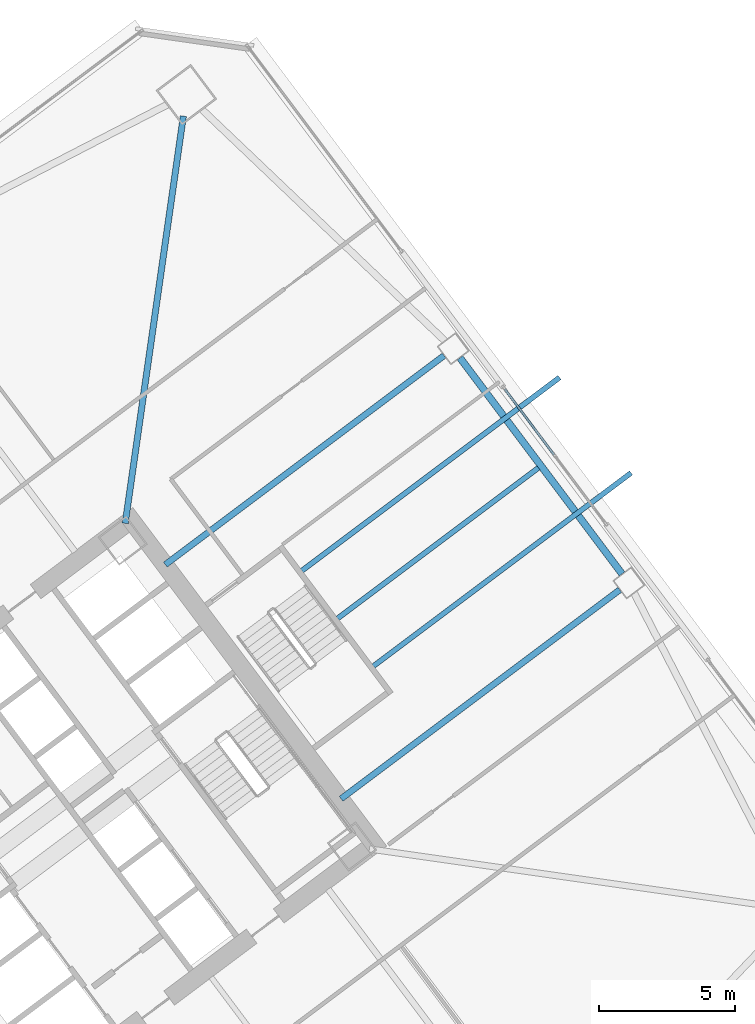
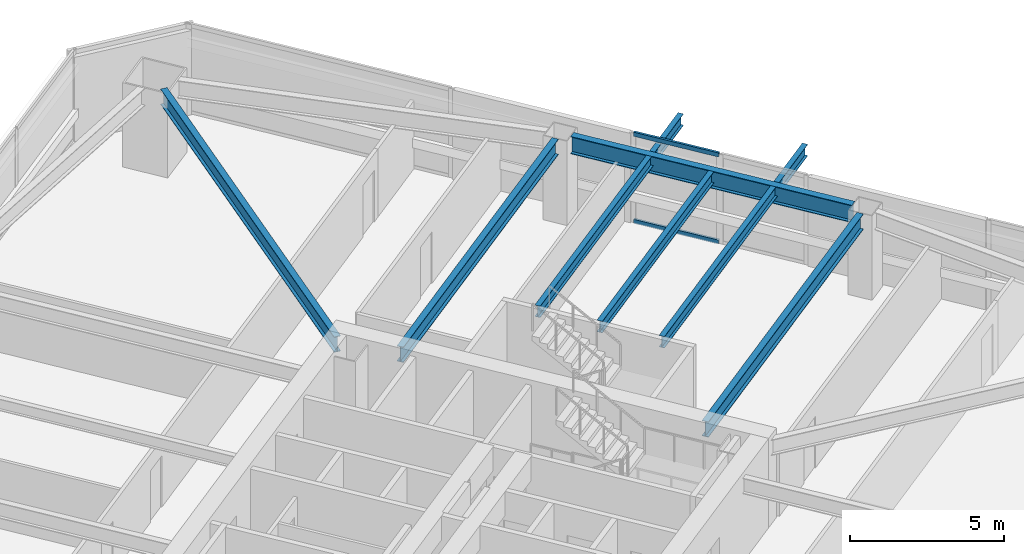
# One storey, part 29 of 46: 7 beams, 2 members, 1 element without a shape of its own.
"""IFC4 building model written with IfcOpenShell, lengths in metres."""

import ifcopenshell
import ifcopenshell.guid

model = None  # the IFC model being written
_history = None  # IfcOwnerHistory: only IFC2X3 demands one
_inside = {}  # id of a spatial element -> (the spatial element, [elements in it])
_under = {}  # id of a project, library or spatial element -> (it, [spatial elements below it])
_declared = {}  # id of a project -> (the project, [libraries it declares])
_typed = {}  # id of a type object -> (the type object, [elements of that type])
_made_of = {}  # id of a material, layer set ... -> (it, [elements and type objects made of it])


def new_model(schema):
    """Start an empty IFC model of exactly this schema.

    Asked for "IFC4X3", IfcOpenShell would pick the latest addendum, in which some entities
    have other attributes; the version numbers below select the first issue.
    IFC2X3 requires an IfcOwnerHistory on every rooted entity: one is made here for all.
    """
    global model, _history
    if schema == "IFC4X3":
        model = ifcopenshell.file(schema_version=(4, 3, 0, 0))
    else:
        model = ifcopenshell.file(schema=schema)
    _inside.clear()
    _under.clear()
    _declared.clear()
    _typed.clear()
    _made_of.clear()
    _history = None
    if model.schema == "IFC2X3":
        org = make("IfcOrganization", Name="unknown")
        user = make(
            "IfcPersonAndOrganization",
            ThePerson=make("IfcPerson", FamilyName="unknown"),
            TheOrganization=org,
        )
        app = make(
            "IfcApplication",
            ApplicationDeveloper=org,
            Version="unknown",
            ApplicationFullName="unknown",
            ApplicationIdentifier="unknown",
        )
        _history = make(
            "IfcOwnerHistory",
            OwningUser=user,
            OwningApplication=app,
            ChangeAction="ADDED",
            CreationDate=0,
        )
    return model


def make(cls, **values):
    """One entity of the class cls with the attributes given. An attribute that is None is left unset."""
    return model.create_entity(
        cls, **{name: value for name, value in values.items() if value is not None}
    )


def rooted(cls, **values):
    """An entity with a GlobalId (a new one), such as an element, a storey or a relation."""
    return make(cls, GlobalId=ifcopenshell.guid.new(), OwnerHistory=_history, **values)


def si_unit(unit_type, name, prefix=None):
    """IfcSIUnit, for example si_unit("LENGTHUNIT", "METRE", prefix="MILLI")."""
    return make("IfcSIUnit", UnitType=unit_type, Prefix=prefix, Name=name)


def assignment(units):
    """IfcUnitAssignment: the units of a project."""
    return None if units is None else make("IfcUnitAssignment", Units=units)


def point(xyz):
    """IfcCartesianPoint."""
    return None if xyz is None else make("IfcCartesianPoint", Coordinates=xyz)


def direction(xyz):
    """IfcDirection."""
    return None if xyz is None else make("IfcDirection", DirectionRatios=xyz)


def frame(location, z_axis=None, x_axis=None):
    """IfcAxis2Placement3D, a coordinate frame: its origin and axes. An axis left out is left unset."""
    return make(
        "IfcAxis2Placement3D",
        Location=point(location),
        Axis=direction(z_axis),
        RefDirection=direction(x_axis),
    )


def frame_2d(location, x_axis=None):
    """IfcAxis2Placement2D, a coordinate frame in the plane: its origin and x axis."""
    return make(
        "IfcAxis2Placement2D", Location=point(location), RefDirection=direction(x_axis)
    )


def origin():
    """The frame at (0, 0, 0) with its axes left unset."""
    return frame((0.0, 0.0, 0.0))


def origin_2d():
    """The frame at (0, 0) in the plane with its x axis left unset."""
    return frame_2d((0.0, 0.0))


def place(relative_to, where):
    """IfcLocalPlacement: puts the frame where relative to a parent placement (None: the world)."""
    return make(
        "IfcLocalPlacement", PlacementRelTo=relative_to, RelativePlacement=where
    )


def context(
    kind, dimensions, precision=None, world=None, true_north=None, identifier=None
):
    """IfcGeometricRepresentationContext, for example the 3D "Model" context."""
    return make(
        "IfcGeometricRepresentationContext",
        ContextIdentifier=identifier,
        ContextType=kind,
        CoordinateSpaceDimension=dimensions,
        Precision=precision,
        WorldCoordinateSystem=world,
        TrueNorth=true_north,
    )


def subcontext(parent, identifier, kind, view, scale=None):
    """IfcGeometricRepresentationSubContext, for example "Body" below "Model"."""
    return make(
        "IfcGeometricRepresentationSubContext",
        ContextIdentifier=identifier,
        ContextType=kind,
        ParentContext=parent,
        TargetScale=scale,
        TargetView=view,
    )


def project(units=None, contexts=None):
    """IfcProject with its units and contexts."""
    return rooted(
        "IfcProject",
        Name="project",
        RepresentationContexts=contexts,
        UnitsInContext=assignment(units),
    )


def spatial(cls, under=None, at=None, **own):
    """A site, building, storey or space (cls), placed at a placement, below another one or the project."""
    s = rooted(cls, ObjectPlacement=at, **own)
    if under is not None:
        _under.setdefault(under.id(), (under, []))[1].append(s)
    return s


def profile(cls, at=None, kind="AREA", **sizes):
    """A parametric profile (cls). Its sizes go by their IFC names, for example OverallWidth=200.0."""
    return make(cls, ProfileType=kind, Position=at, **sizes)


def hollow_rectangle(**sizes):
    """IfcRectangleHollowProfileDef."""
    return profile("IfcRectangleHollowProfileDef", **sizes)


def i_section(**sizes):
    """IfcIShapeProfileDef."""
    return profile("IfcIShapeProfileDef", **sizes)


def extrude(swept, where, along, depth):
    """IfcExtrudedAreaSolid: the profile swept, set in the frame where, extruded along a direction by depth."""
    return make(
        "IfcExtrudedAreaSolid",
        SweptArea=swept,
        Position=where,
        ExtrudedDirection=direction(along),
        Depth=depth,
    )


def shape(context_of_items, identifier, shape_type, items):
    """IfcShapeRepresentation: the items that make up one representation, for example the "Body"."""
    return make(
        "IfcShapeRepresentation",
        ContextOfItems=context_of_items,
        RepresentationIdentifier=identifier,
        RepresentationType=shape_type,
        Items=items,
    )


def material(Name=None, Category=None):
    """IfcMaterial."""
    return make("IfcMaterial", Name=Name, Category=Category)


def material_profile(
    of_material, cross_section, Name=None, Category=None, Priority=None
):
    """IfcMaterialProfile: a cross section and its material."""
    return make(
        "IfcMaterialProfile",
        Name=Name,
        Material=of_material,
        Profile=cross_section,
        Priority=Priority,
        Category=Category,
    )


def profile_set(profiles, Name=None, composite=None):
    """IfcMaterialProfileSet."""
    return make(
        "IfcMaterialProfileSet",
        Name=Name,
        MaterialProfiles=profiles,
        CompositeProfile=composite,
    )


def made_of(thing, what):
    """Note that an element or type object is made of a material, layer set ...; save() writes the relation."""
    if what is not None:
        _made_of.setdefault(what.id(), (what, []))[1].append(thing)
    return thing


def type_object(cls, material=None, **own):
    """A type object (cls), such as IfcWallType, which elements share."""
    return made_of(rooted(cls, **own), material)


def element(
    cls,
    number,
    at=None,
    inside=None,
    cuts=None,
    type_object=None,
    material=None,
    context=None,
    identifier="Body",
    shape_type=None,
    held_by="IfcProductDefinitionShape",
    body=None,
    shapes=None,
    **own,
):
    """One element of the class cls, such as IfcWall. Its Tag is "e" and its number.

    at: its placement. inside: the storey or other place that contains it. cuts: it is an
    opening in that element (IfcRelVoidsElement). A single representation is given by context,
    identifier, shape_type and body (its items); several are given by shapes. held_by: the class
    of the entity that holds the representations. save() writes the other relations.
    """
    e = rooted(cls, Tag="e%d" % number, ObjectPlacement=at, **own)
    if body is not None:
        shapes = [shape(context, identifier, shape_type, body)]
    if shapes is not None:
        e.Representation = make(held_by, Representations=shapes)
    if inside is not None:
        _inside.setdefault(inside.id(), (inside, []))[1].append(e)
    if cuts is not None:
        rooted(
            "IfcRelVoidsElement", RelatingBuildingElement=cuts, RelatedOpeningElement=e
        )
    if type_object is not None:
        _typed.setdefault(type_object.id(), (type_object, []))[1].append(e)
    return made_of(e, material)


def aggregate(whole, parts):
    """IfcRelAggregates: a whole, such as a stair, and the parts it consists of."""
    return rooted("IfcRelAggregates", RelatingObject=whole, RelatedObjects=parts)


def save(model, path):
    """Write the relations noted so far, then the file.

    IfcRelAggregates (storeys below a building ...), IfcRelContainedInSpatialStructure (elements
    in a storey), IfcRelDefinesByType, IfcRelAssociatesMaterial and IfcRelDeclares: one each for
    every whole, place, type object, material and project.
    """
    for whole, parts in _under.values():
        aggregate(whole, parts)
    for where, things in _inside.values():
        rooted(
            "IfcRelContainedInSpatialStructure",
            RelatedElements=things,
            RelatingStructure=where,
        )
    for kind, things in _typed.values():
        rooted("IfcRelDefinesByType", RelatedObjects=things, RelatingType=kind)
    for what, things in _made_of.values():
        rooted("IfcRelAssociatesMaterial", RelatedObjects=things, RelatingMaterial=what)
    for by, libraries in _declared.values():
        rooted("IfcRelDeclares", RelatingContext=by, RelatedDefinitions=libraries)
    model.write(path)


model = new_model("IFC4")

# Units and contexts
model_context = context("Model", 3, precision=1e-05, world=origin(), true_north=direction((0.0, 1.0)))
body_context = subcontext(model_context, "Body", "Model", "MODEL_VIEW")
ifc_project = project(units=[si_unit("LENGTHUNIT", "METRE"), si_unit("AREAUNIT", "SQUARE_METRE"), si_unit("VOLUMEUNIT", "CUBIC_METRE"), si_unit("PLANEANGLEUNIT", "RADIAN"), si_unit("MASSUNIT", "GRAM", prefix="KILO")], contexts=[model_context])

# Site, building, storey
site_placement = place(None, origin())
site = spatial("IfcSite", under=ifc_project, at=site_placement, CompositionType="ELEMENT")
building_placement = place(site_placement, origin())
building = spatial("IfcBuilding", under=site, at=building_placement, Name="Tashvorn Skyway Center", CompositionType="ELEMENT")
storey_placement = place(building_placement, frame((0.0, 0.0, 38.800048828125)))
storey = spatial("IfcBuildingStorey", under=building, at=storey_placement, Name="L09", CompositionType="ELEMENT", Elevation=38.800048828125)

# Beams
ifc_material_1 = material(Name="Steel ASTM A992 Grade 50", Category="steel")
ifc_material_profile_1 = material_profile(ifc_material_1, i_section(OverallWidth=0.22998046875, OverallDepth=0.616943359375, WebThickness=0.01318359375, FlangeThickness=0.022216796875, at=origin_2d()), Name="W24X94")
ifc_profile_set_1 = profile_set([ifc_material_profile_1], Name="Steel ASTM A992 Grade 50")
beam_type_1 = type_object("IfcBeamType", Name="BM-BEAM-W24X94", PredefinedType="BEAM", material=ifc_profile_set_1)
beam_1_placement = place(storey_placement, frame((117.6474609375, 57.532958984375, 3.04150390625), z_axis=(-0.141414599991, -0.989950458816, 0.0), x_axis=(0.989950458816, -0.141414599991, 0.0)))
element("IfcBeam", 1, at=beam_1_placement, inside=storey, type_object=beam_type_1, Name="Tower 2 L09 Primary Floor Girder MC-NE", PredefinedType="BEAM", context=body_context, shape_type="SweptSolid", body=[
    extrude(i_section(OverallWidth=0.22998046875, OverallDepth=0.616943359375, WebThickness=0.01318359375, FlangeThickness=0.022216796875, at=origin_2d()), origin(), (0.0, 0.0, 1.0), 15.177001953125),
])
beam_2_placement = place(storey_placement, frame((133.743896484375, 40.05810546875, 3.04150390625), z_axis=(-0.799986320265, -0.600018239213, 0.0), x_axis=(0.600018239213, -0.799986320265, 0.0)))
element("IfcBeam", 2, at=beam_2_placement, inside=storey, type_object=beam_type_1, Name="Tower 2 L09 Primary Floor Girder FC-E1", PredefinedType="BEAM", context=body_context, shape_type="SweptSolid", body=[
    extrude(i_section(OverallWidth=0.22998046875, OverallDepth=0.616943359375, WebThickness=0.01318359375, FlangeThickness=0.022216796875, at=origin_2d()), origin(), (0.0, 0.0, 1.0), 12.849853515625),
])
beam_3_placement = place(storey_placement, frame((127.263916015625, 48.697998046875, 3.04150390625), z_axis=(-0.800002279907, -0.599996960112, 0.0), x_axis=(0.599996960112, -0.800002279907, 0.0)))
element("IfcBeam", 3, at=beam_3_placement, inside=storey, type_object=beam_type_1, Name="Tower 2 L09 Primary Floor Girder FC-E2", PredefinedType="BEAM", context=body_context, shape_type="SweptSolid", body=[
    extrude(i_section(OverallWidth=0.22998046875, OverallDepth=0.616943359375, WebThickness=0.01318359375, FlangeThickness=0.022216796875, at=origin_2d()), origin(), (0.0, 0.0, 1.0), 12.85009765625),
])
ifc_material_profile_2 = material_profile(ifc_material_1, i_section(OverallWidth=0.19091796875, OverallDepth=0.4599609375, WebThickness=0.010009765625, FlangeThickness=0.01611328125, at=origin_2d()), Name="W18X55")
ifc_profile_set_2 = profile_set([ifc_material_profile_2], Name="Steel ASTM A992 Grade 50")
beam_type_2 = type_object("IfcBeamType", Name="BM-JOIST-W18X55", PredefinedType="JOIST", material=ifc_profile_set_2)
beam_4_placement = place(storey_placement, frame((123.3359375, 39.001953125, 3.119873046875), z_axis=(0.799990508532, 0.600012655082, 0.0), x_axis=(-0.600012655082, 0.799990508532, 0.0)))
element("IfcBeam", 4, at=beam_4_placement, inside=storey, type_object=beam_type_2, Name="Tower 2 L09 Secondary Composite Joist JE", PredefinedType="JOIST", context=body_context, shape_type="SweptSolid", body=[
    extrude(i_section(OverallWidth=0.19091796875, OverallDepth=0.4599609375, WebThickness=0.010009765625, FlangeThickness=0.01611328125, at=origin_2d()), origin(), (0.0, 0.0, 1.0), 9.260009765625),
])
beam_5_placement = place(storey_placement, frame((124.656005859375, 37.241943359375, 3.119873046875), z_axis=(0.799990135649, 0.600013152243, 0.0), x_axis=(-0.600013152243, 0.799990135649, 0.0)))
element("IfcBeam", 5, at=beam_5_placement, inside=storey, type_object=beam_type_2, Name="Tower 2 L10 Terrace Cantilever Outlooker 1", PredefinedType="JOIST", context=body_context, shape_type="SweptSolid", body=[
    extrude(i_section(OverallWidth=0.19091796875, OverallDepth=0.4599609375, WebThickness=0.010009765625, FlangeThickness=0.01611328125, at=origin_2d()), origin(), (0.0, 0.0, 1.0), 11.880126953125),
])
beam_6_placement = place(storey_placement, frame((122.01611328125, 40.761962890625, 3.119873046875), z_axis=(0.8, 0.6, 0.0), x_axis=(-0.6, 0.8, 0.0)))
element("IfcBeam", 6, at=beam_6_placement, inside=storey, type_object=beam_type_2, Name="Tower 2 L10 Terrace Cantilever Outlooker 2", PredefinedType="JOIST", context=body_context, shape_type="SweptSolid", body=[
    extrude(i_section(OverallWidth=0.19091796875, OverallDepth=0.4599609375, WebThickness=0.010009765625, FlangeThickness=0.01611328125, at=origin_2d()), origin(), (0.0, 0.0, 1.0), 11.8798828125),
])
ifc_material_profile_3 = material_profile(ifc_material_1, i_section(OverallWidth=0.256103515625, OverallDepth=0.693115234375, WebThickness=0.014404296875, FlangeThickness=0.023681640625, at=origin_2d()), Name="W27X114")
ifc_profile_set_3 = profile_set([ifc_material_profile_3], Name="Steel ASTM A992 Grade 50")
beam_type_3 = type_object("IfcBeamType", Name="BM-SPANDREL-W27X114", PredefinedType="SPANDREL", material=ifc_profile_set_3)
beam_7_placement = place(storey_placement, frame((133.827880859375, 40.64599609375, 3.00341796875), z_axis=(-0.599988234018, 0.800008824351, 0.0), x_axis=(-0.800008824351, -0.599988234018, 0.0)))
element("IfcBeam", 7, at=beam_7_placement, inside=storey, type_object=beam_type_3, Name="Tower 2 L09 Spandrel Beam 05", PredefinedType="SPANDREL", context=body_context, shape_type="SweptSolid", body=[
    extrude(i_section(OverallWidth=0.256103515625, OverallDepth=0.693115234375, WebThickness=0.014404296875, FlangeThickness=0.023681640625, at=origin_2d()), origin(), (0.0, 0.0, 1.0), 9.9599609375),
])

# Curtain wall, members
ifc_material_2 = material(Name="Thermally broken bronze-anodized aluminium 6063-T6", Category="aluminium")
curtain_wall_type = type_object("IfcCurtainWallType", Name="CW-CW-Z1", PredefinedType="NOTDEFINED", material=ifc_material_2)
curtain_wall_placement = place(storey_placement, origin())
curtain_wall = element("IfcCurtainWall", 8, at=curtain_wall_placement, inside=storey, type_object=curtain_wall_type, Name="Tower 2 L09 East Unitised Curtain Wall Glazing Group 2", PredefinedType="NOTDEFINED")
ifc_material_profile_4 = material_profile(ifc_material_2, hollow_rectangle(XDim=0.0849609375, YDim=0.1650390625, WallThickness=0.0048828125, at=origin_2d()), Name="ALU-TRAN-85x165")
ifc_profile_set_4 = profile_set([ifc_material_profile_4], Name="Thermally broken bronze-anodized aluminium 6063-T6")
member_type = type_object("IfcMemberType", Name="CWT-CW-Z1", PredefinedType="USERDEFINED", material=ifc_profile_set_4)
member_1_placement = place(storey_placement, frame((129.507080078125, 47.457275390625, 0.04248046875), z_axis=(0.600012938206, -0.799990296182, 0.0), x_axis=(0.799990296182, 0.600012938206, 0.0)))
member_1 = element("IfcMember", 9, at=member_1_placement, type_object=member_type, Name="CW-Z1 transom 1.1", ObjectType="TRANSOM", PredefinedType="USERDEFINED", context=body_context, shape_type="SweptSolid", body=[
    extrude(hollow_rectangle(XDim=0.0849609375, YDim=0.1650390625, WallThickness=0.0048828125, at=origin_2d()), origin(), (0.0, 0.0, 1.0), 3.01904296875),
])
member_2_placement = place(storey_placement, frame((129.507080078125, 47.457275390625, 3.507568359375), z_axis=(0.600012938206, -0.799990296182, 0.0), x_axis=(0.799990296182, 0.600012938206, 0.0)))
member_2 = element("IfcMember", 10, at=member_2_placement, type_object=member_type, Name="CW-Z1 transom 1.2", ObjectType="TRANSOM", PredefinedType="USERDEFINED", context=body_context, shape_type="SweptSolid", body=[
    extrude(hollow_rectangle(XDim=0.0849609375, YDim=0.1650390625, WallThickness=0.0048828125, at=origin_2d()), origin(), (0.0, 0.0, 1.0), 3.01904296875),
])
aggregate(curtain_wall, [member_1, member_2])

save(model, "model.ifc")
